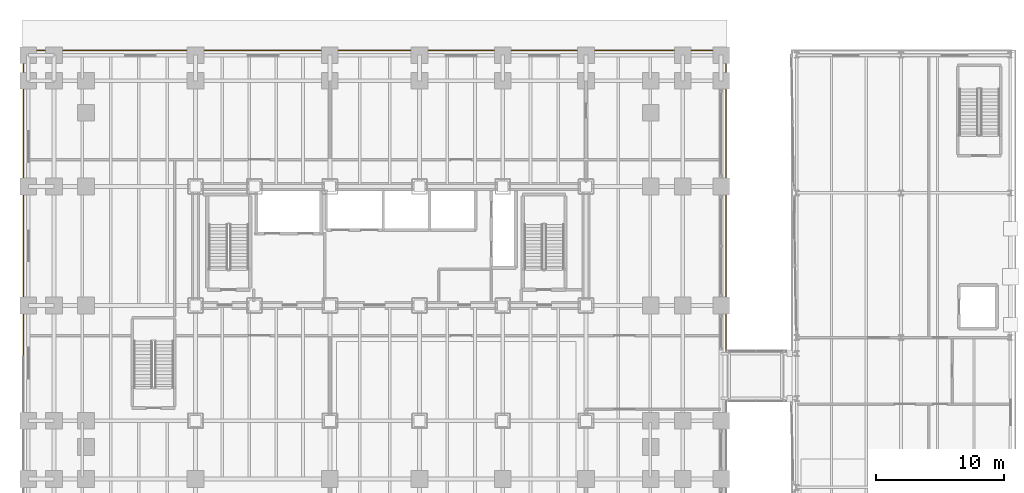
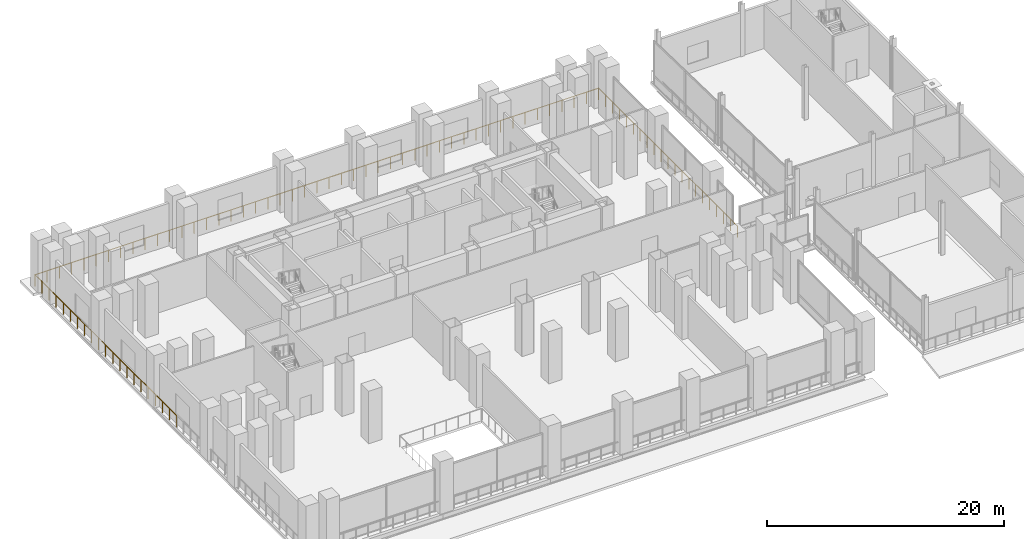
# One storey, part 29 of 32: 1 railing.
"""IFC4 building model written with IfcOpenShell, lengths in metres."""

from ifc_helpers import new_model, si_unit, direction, frame, origin, origin_2d, place, context, subcontext, project, spatial, circle, extrude, material, layer, layer_set, type_object, element, save


model = new_model("IFC4")

# Units and contexts
model_context = context("Model", 3, precision=1e-05, world=origin(), true_north=direction((0.0, 1.0)))
body_context = subcontext(model_context, "Body", "Model", "MODEL_VIEW")
ifc_project = project(units=[si_unit("LENGTHUNIT", "METRE"), si_unit("AREAUNIT", "SQUARE_METRE"), si_unit("VOLUMEUNIT", "CUBIC_METRE"), si_unit("PLANEANGLEUNIT", "RADIAN"), si_unit("MASSUNIT", "GRAM", prefix="KILO")], contexts=[model_context])

# Site, building, storey
site_placement = place(None, origin())
site = spatial("IfcSite", under=ifc_project, at=site_placement, CompositionType="ELEMENT")
building_placement = place(site_placement, origin())
building = spatial("IfcBuilding", under=site, at=building_placement, Name="Noeulbin Bourse Tower", CompositionType="ELEMENT")
storey_placement = place(building_placement, frame((0.0, 0.0, 5.800048828125)))
storey = spatial("IfcBuildingStorey", under=building, at=storey_placement, Name="L02", CompositionType="ELEMENT", Elevation=5.800048828125)

# Railing
ifc_material = material(Name="Stainless Steel 316 Post and Rail", Category="steel")
ifc_layer = layer(ifc_material, 0.06005859375)
ifc_layer_set = layer_set([ifc_layer], Name="Stainless Steel 316 Post and Rail")
railing_type = type_object("IfcRailingType", Name="RLG-TER-1200", PredefinedType="GUARDRAIL", material=ifc_layer_set)
railing_placement = place(storey_placement, frame((0.080078125, 25.06005859375, 0.0)))
element("IfcRailing", 1, at=railing_placement, inside=storey, type_object=railing_type, Name="Podium Perimeter Edge Guard L02-2", PredefinedType="GUARDRAIL", context=body_context, shape_type="SweptSolid", body=[
    extrude(circle(Radius=0.02392578125, at=origin_2d()), frame((0.0, 0.0, 1.17578125), z_axis=(0.0, 1.0, 0.0), x_axis=(-1.0, 0.0, 0.0)), (0.0, 0.0, 1.0), 23.85986328125),
    extrude(circle(Radius=0.02392578125, at=origin_2d()), frame((0.0, 23.85986328125, 1.17578125), z_axis=(1.0, 0.0, 0.0), x_axis=(0.0, 1.0, 0.0)), (0.0, 0.0, 1.0), 54.83984375),
    extrude(circle(Radius=0.02392578125, at=origin_2d()), frame((54.83984375, 23.85986328125, 1.17578125), z_axis=(0.0, -1.0, 0.0), x_axis=(1.0, 0.0, 0.0)), (0.0, 0.0, 1.0), 23.369873046875),
    extrude(circle(Radius=0.02099609375, at=origin_2d()), origin(), (0.0, 0.0, 1.0), 1.15185546875),
    extrude(circle(Radius=0.02099609375, at=origin_2d()), frame((0.0, 1.19287109375, 0.0)), (0.0, 0.0, 1.0), 1.15185546875),
    extrude(circle(Radius=0.02099609375, at=origin_2d()), frame((0.0, 2.385986328125, 0.0)), (0.0, 0.0, 1.0), 1.15185546875),
    extrude(circle(Radius=0.02099609375, at=origin_2d()), frame((0.0, 3.5791015625, 0.0)), (0.0, 0.0, 1.0), 1.15185546875),
    extrude(circle(Radius=0.02099609375, at=origin_2d()), frame((0.0, 4.77197265625, 0.0)), (0.0, 0.0, 1.0), 1.15185546875),
    extrude(circle(Radius=0.02099609375, at=origin_2d()), frame((0.0, 5.96484375, 0.0)), (0.0, 0.0, 1.0), 1.15185546875),
    extrude(circle(Radius=0.02099609375, at=origin_2d()), frame((0.0, 7.157958984375, 0.0)), (0.0, 0.0, 1.0), 1.15185546875),
    extrude(circle(Radius=0.02099609375, at=origin_2d()), frame((0.0, 8.35107421875, 0.0)), (0.0, 0.0, 1.0), 1.15185546875),
    extrude(circle(Radius=0.02099609375, at=origin_2d()), frame((0.0, 9.5439453125, 0.0)), (0.0, 0.0, 1.0), 1.15185546875),
    extrude(circle(Radius=0.02099609375, at=origin_2d()), frame((0.0, 10.73681640625, 0.0)), (0.0, 0.0, 1.0), 1.15185546875),
    extrude(circle(Radius=0.02099609375, at=origin_2d()), frame((0.0, 11.929931640625, 0.0)), (0.0, 0.0, 1.0), 1.15185546875),
    extrude(circle(Radius=0.02099609375, at=origin_2d()), frame((0.0, 13.123046875, 0.0)), (0.0, 0.0, 1.0), 1.15185546875),
    extrude(circle(Radius=0.02099609375, at=origin_2d()), frame((0.0, 14.31591796875, 0.0)), (0.0, 0.0, 1.0), 1.15185546875),
    extrude(circle(Radius=0.02099609375, at=origin_2d()), frame((0.0, 15.5087890625, 0.0)), (0.0, 0.0, 1.0), 1.15185546875),
    extrude(circle(Radius=0.02099609375, at=origin_2d()), frame((0.0, 16.701904296875, 0.0)), (0.0, 0.0, 1.0), 1.15185546875),
    extrude(circle(Radius=0.02099609375, at=origin_2d()), frame((0.0, 17.89501953125, 0.0)), (0.0, 0.0, 1.0), 1.15185546875),
    extrude(circle(Radius=0.02099609375, at=origin_2d()), frame((0.0, 19.087890625, 0.0)), (0.0, 0.0, 1.0), 1.15185546875),
    extrude(circle(Radius=0.02099609375, at=origin_2d()), frame((0.0, 20.28076171875, 0.0)), (0.0, 0.0, 1.0), 1.15185546875),
    extrude(circle(Radius=0.02099609375, at=origin_2d()), frame((0.0, 21.473876953125, 0.0)), (0.0, 0.0, 1.0), 1.15185546875),
    extrude(circle(Radius=0.02099609375, at=origin_2d()), frame((0.0, 22.6669921875, 0.0)), (0.0, 0.0, 1.0), 1.15185546875),
    extrude(circle(Radius=0.02099609375, at=origin_2d()), frame((0.0, 23.85986328125, 0.0)), (0.0, 0.0, 1.0), 1.15185546875),
    extrude(circle(Radius=0.02099609375, at=origin_2d()), frame((1.192138671875, 23.85986328125, 0.0)), (0.0, 0.0, 1.0), 1.15185546875),
    extrude(circle(Radius=0.02099609375, at=origin_2d()), frame((2.38427734375, 23.85986328125, 0.0)), (0.0, 0.0, 1.0), 1.15185546875),
    extrude(circle(Radius=0.02099609375, at=origin_2d()), frame((3.576416015625, 23.85986328125, 0.0)), (0.0, 0.0, 1.0), 1.15185546875),
    extrude(circle(Radius=0.02099609375, at=origin_2d()), frame((4.768798828125, 23.85986328125, 0.0)), (0.0, 0.0, 1.0), 1.15185546875),
    extrude(circle(Radius=0.02099609375, at=origin_2d()), frame((5.9609375, 23.85986328125, 0.0)), (0.0, 0.0, 1.0), 1.15185546875),
    extrude(circle(Radius=0.02099609375, at=origin_2d()), frame((7.153076171875, 23.85986328125, 0.0)), (0.0, 0.0, 1.0), 1.15185546875),
    extrude(circle(Radius=0.02099609375, at=origin_2d()), frame((8.34521484375, 23.85986328125, 0.0)), (0.0, 0.0, 1.0), 1.15185546875),
    extrude(circle(Radius=0.02099609375, at=origin_2d()), frame((9.537353515625, 23.85986328125, 0.0)), (0.0, 0.0, 1.0), 1.15185546875),
    extrude(circle(Radius=0.02099609375, at=origin_2d()), frame((10.7294921875, 23.85986328125, 0.0)), (0.0, 0.0, 1.0), 1.15185546875),
    extrude(circle(Radius=0.02099609375, at=origin_2d()), frame((11.921630859375, 23.85986328125, 0.0)), (0.0, 0.0, 1.0), 1.15185546875),
    extrude(circle(Radius=0.02099609375, at=origin_2d()), frame((13.11376953125, 23.85986328125, 0.0)), (0.0, 0.0, 1.0), 1.15185546875),
    extrude(circle(Radius=0.02099609375, at=origin_2d()), frame((14.30615234375, 23.85986328125, 0.0)), (0.0, 0.0, 1.0), 1.15185546875),
    extrude(circle(Radius=0.02099609375, at=origin_2d()), frame((15.498291015625, 23.85986328125, 0.0)), (0.0, 0.0, 1.0), 1.15185546875),
    extrude(circle(Radius=0.02099609375, at=origin_2d()), frame((16.6904296875, 23.85986328125, 0.0)), (0.0, 0.0, 1.0), 1.15185546875),
    extrude(circle(Radius=0.02099609375, at=origin_2d()), frame((17.882568359375, 23.85986328125, 0.0)), (0.0, 0.0, 1.0), 1.15185546875),
    extrude(circle(Radius=0.02099609375, at=origin_2d()), frame((19.07470703125, 23.85986328125, 0.0)), (0.0, 0.0, 1.0), 1.15185546875),
    extrude(circle(Radius=0.02099609375, at=origin_2d()), frame((20.266845703125, 23.85986328125, 0.0)), (0.0, 0.0, 1.0), 1.15185546875),
    extrude(circle(Radius=0.02099609375, at=origin_2d()), frame((21.458984375, 23.85986328125, 0.0)), (0.0, 0.0, 1.0), 1.15185546875),
    extrude(circle(Radius=0.02099609375, at=origin_2d()), frame((22.651123046875, 23.85986328125, 0.0)), (0.0, 0.0, 1.0), 1.15185546875),
    extrude(circle(Radius=0.02099609375, at=origin_2d()), frame((23.843505859375, 23.85986328125, 0.0)), (0.0, 0.0, 1.0), 1.15185546875),
    extrude(circle(Radius=0.02099609375, at=origin_2d()), frame((25.03564453125, 23.85986328125, 0.0)), (0.0, 0.0, 1.0), 1.15185546875),
    extrude(circle(Radius=0.02099609375, at=origin_2d()), frame((26.227783203125, 23.85986328125, 0.0)), (0.0, 0.0, 1.0), 1.15185546875),
    extrude(circle(Radius=0.02099609375, at=origin_2d()), frame((27.419921875, 23.85986328125, 0.0)), (0.0, 0.0, 1.0), 1.15185546875),
    extrude(circle(Radius=0.02099609375, at=origin_2d()), frame((28.612060546875, 23.85986328125, 0.0)), (0.0, 0.0, 1.0), 1.15185546875),
    extrude(circle(Radius=0.02099609375, at=origin_2d()), frame((29.80419921875, 23.85986328125, 0.0)), (0.0, 0.0, 1.0), 1.15185546875),
    extrude(circle(Radius=0.02099609375, at=origin_2d()), frame((30.996337890625, 23.85986328125, 0.0)), (0.0, 0.0, 1.0), 1.15185546875),
    extrude(circle(Radius=0.02099609375, at=origin_2d()), frame((32.188720703125, 23.85986328125, 0.0)), (0.0, 0.0, 1.0), 1.15185546875),
    extrude(circle(Radius=0.02099609375, at=origin_2d()), frame((33.380859375, 23.85986328125, 0.0)), (0.0, 0.0, 1.0), 1.15185546875),
    extrude(circle(Radius=0.02099609375, at=origin_2d()), frame((34.572998046875, 23.85986328125, 0.0)), (0.0, 0.0, 1.0), 1.15185546875),
    extrude(circle(Radius=0.02099609375, at=origin_2d()), frame((35.76513671875, 23.85986328125, 0.0)), (0.0, 0.0, 1.0), 1.15185546875),
    extrude(circle(Radius=0.02099609375, at=origin_2d()), frame((36.957275390625, 23.85986328125, 0.0)), (0.0, 0.0, 1.0), 1.15185546875),
    extrude(circle(Radius=0.02099609375, at=origin_2d()), frame((38.1494140625, 23.85986328125, 0.0)), (0.0, 0.0, 1.0), 1.15185546875),
    extrude(circle(Radius=0.02099609375, at=origin_2d()), frame((39.341552734375, 23.85986328125, 0.0)), (0.0, 0.0, 1.0), 1.15185546875),
    extrude(circle(Radius=0.02099609375, at=origin_2d()), frame((40.53369140625, 23.85986328125, 0.0)), (0.0, 0.0, 1.0), 1.15185546875),
    extrude(circle(Radius=0.02099609375, at=origin_2d()), frame((41.72607421875, 23.85986328125, 0.0)), (0.0, 0.0, 1.0), 1.15185546875),
    extrude(circle(Radius=0.02099609375, at=origin_2d()), frame((42.918212890625, 23.85986328125, 0.0)), (0.0, 0.0, 1.0), 1.15185546875),
    extrude(circle(Radius=0.02099609375, at=origin_2d()), frame((44.1103515625, 23.85986328125, 0.0)), (0.0, 0.0, 1.0), 1.15185546875),
    extrude(circle(Radius=0.02099609375, at=origin_2d()), frame((45.302490234375, 23.85986328125, 0.0)), (0.0, 0.0, 1.0), 1.15185546875),
    extrude(circle(Radius=0.02099609375, at=origin_2d()), frame((46.49462890625, 23.85986328125, 0.0)), (0.0, 0.0, 1.0), 1.15185546875),
    extrude(circle(Radius=0.02099609375, at=origin_2d()), frame((47.686767578125, 23.85986328125, 0.0)), (0.0, 0.0, 1.0), 1.15185546875),
    extrude(circle(Radius=0.02099609375, at=origin_2d()), frame((48.87890625, 23.85986328125, 0.0)), (0.0, 0.0, 1.0), 1.15185546875),
    extrude(circle(Radius=0.02099609375, at=origin_2d()), frame((50.071044921875, 23.85986328125, 0.0)), (0.0, 0.0, 1.0), 1.15185546875),
    extrude(circle(Radius=0.02099609375, at=origin_2d()), frame((51.263427734375, 23.85986328125, 0.0)), (0.0, 0.0, 1.0), 1.15185546875),
    extrude(circle(Radius=0.02099609375, at=origin_2d()), frame((52.45556640625, 23.85986328125, 0.0)), (0.0, 0.0, 1.0), 1.15185546875),
    extrude(circle(Radius=0.02099609375, at=origin_2d()), frame((53.647705078125, 23.85986328125, 0.0)), (0.0, 0.0, 1.0), 1.15185546875),
    extrude(circle(Radius=0.02099609375, at=origin_2d()), frame((54.83984375, 23.85986328125, 0.0)), (0.0, 0.0, 1.0), 1.15185546875),
    extrude(circle(Radius=0.02099609375, at=origin_2d()), frame((54.83984375, 22.69140625, 0.0)), (0.0, 0.0, 1.0), 1.15185546875),
    extrude(circle(Radius=0.02099609375, at=origin_2d()), frame((54.83984375, 21.52294921875, 0.0)), (0.0, 0.0, 1.0), 1.15185546875),
    extrude(circle(Radius=0.02099609375, at=origin_2d()), frame((54.83984375, 20.3544921875, 0.0)), (0.0, 0.0, 1.0), 1.15185546875),
    extrude(circle(Radius=0.02099609375, at=origin_2d()), frame((54.83984375, 19.185791015625, 0.0)), (0.0, 0.0, 1.0), 1.15185546875),
    extrude(circle(Radius=0.02099609375, at=origin_2d()), frame((54.83984375, 18.017333984375, 0.0)), (0.0, 0.0, 1.0), 1.15185546875),
    extrude(circle(Radius=0.02099609375, at=origin_2d()), frame((54.83984375, 16.848876953125, 0.0)), (0.0, 0.0, 1.0), 1.15185546875),
    extrude(circle(Radius=0.02099609375, at=origin_2d()), frame((54.83984375, 15.680419921875, 0.0)), (0.0, 0.0, 1.0), 1.15185546875),
    extrude(circle(Radius=0.02099609375, at=origin_2d()), frame((54.83984375, 14.511962890625, 0.0)), (0.0, 0.0, 1.0), 1.15185546875),
    extrude(circle(Radius=0.02099609375, at=origin_2d()), frame((54.83984375, 13.343505859375, 0.0)), (0.0, 0.0, 1.0), 1.15185546875),
    extrude(circle(Radius=0.02099609375, at=origin_2d()), frame((54.83984375, 12.1748046875, 0.0)), (0.0, 0.0, 1.0), 1.15185546875),
    extrude(circle(Radius=0.02099609375, at=origin_2d()), frame((54.83984375, 11.00634765625, 0.0)), (0.0, 0.0, 1.0), 1.15185546875),
    extrude(circle(Radius=0.02099609375, at=origin_2d()), frame((54.83984375, 9.837890625, 0.0)), (0.0, 0.0, 1.0), 1.15185546875),
    extrude(circle(Radius=0.02099609375, at=origin_2d()), frame((54.83984375, 8.66943359375, 0.0)), (0.0, 0.0, 1.0), 1.15185546875),
    extrude(circle(Radius=0.02099609375, at=origin_2d()), frame((54.83984375, 7.5009765625, 0.0)), (0.0, 0.0, 1.0), 1.15185546875),
    extrude(circle(Radius=0.02099609375, at=origin_2d()), frame((54.83984375, 6.33251953125, 0.0)), (0.0, 0.0, 1.0), 1.15185546875),
    extrude(circle(Radius=0.02099609375, at=origin_2d()), frame((54.83984375, 5.1640625, 0.0)), (0.0, 0.0, 1.0), 1.15185546875),
    extrude(circle(Radius=0.02099609375, at=origin_2d()), frame((54.83984375, 3.995361328125, 0.0)), (0.0, 0.0, 1.0), 1.15185546875),
    extrude(circle(Radius=0.02099609375, at=origin_2d()), frame((54.83984375, 2.826904296875, 0.0)), (0.0, 0.0, 1.0), 1.15185546875),
    extrude(circle(Radius=0.02099609375, at=origin_2d()), frame((54.83984375, 1.658447265625, 0.0)), (0.0, 0.0, 1.0), 1.15185546875),
    extrude(circle(Radius=0.02099609375, at=origin_2d()), frame((54.83984375, 0.489990234375, 0.0)), (0.0, 0.0, 1.0), 1.15185546875),
])

save(model, "model.ifc")
